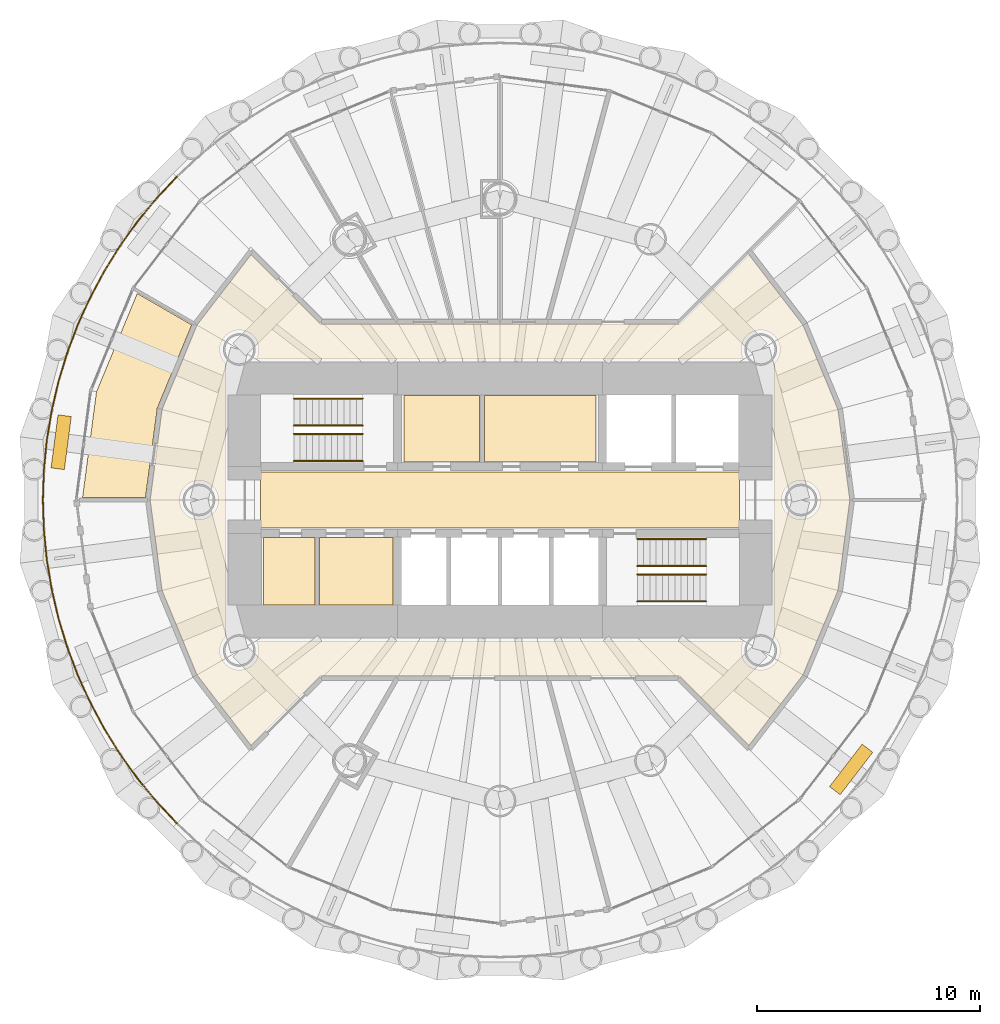
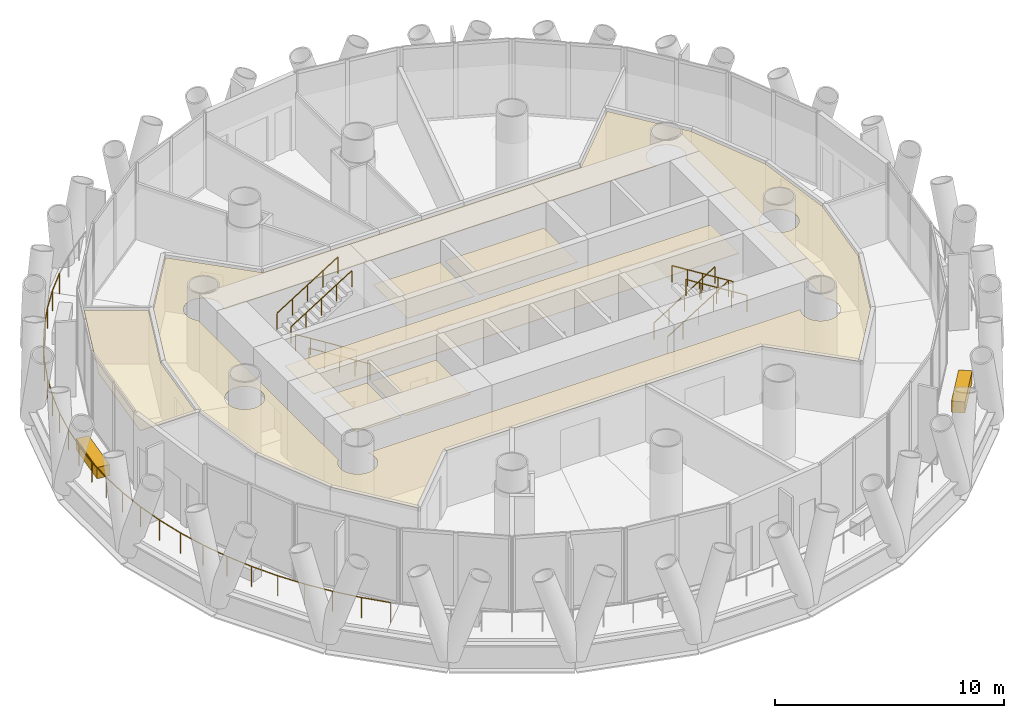
# One storey, part 14 of 16: 9 coverings, 9 railings.
"""IFC4 building model written with IfcOpenShell, lengths in metres."""

from ifc_helpers import new_model, si_unit, direction, frame, origin, origin_2d, place, context, subcontext, project, spatial, polyline, rectangle, circle, outline, extrude, material, layer, layer_set, type_object, element, save


model = new_model("IFC4")

# Units and contexts
model_context = context("Model", 3, precision=1e-05, world=origin(), true_north=direction((0.0, 1.0)))
body_context = subcontext(model_context, "Body", "Model", "MODEL_VIEW")
ifc_project = project(units=[si_unit("LENGTHUNIT", "METRE"), si_unit("AREAUNIT", "SQUARE_METRE"), si_unit("VOLUMEUNIT", "CUBIC_METRE"), si_unit("PLANEANGLEUNIT", "RADIAN"), si_unit("MASSUNIT", "GRAM", prefix="KILO")], contexts=[model_context])

# Site, building, storey
site_placement = place(None, origin())
site = spatial("IfcSite", under=ifc_project, at=site_placement, CompositionType="ELEMENT")
building_placement = place(site_placement, origin())
building = spatial("IfcBuilding", under=site, at=building_placement, Name="Qaws Media Tower", CompositionType="ELEMENT")
storey_placement = place(building_placement, frame((0.0, 0.0, 269.60009765625)))
storey = spatial("IfcBuildingStorey", under=building, at=storey_placement, Name="L62", CompositionType="ELEMENT", Elevation=269.60009765625)

# Covering
ifc_material_1 = material(Name="40 perforated acoustic panels with mineral wool backing, suspended", Category="mineral fibre")
ifc_layer_1 = layer(ifc_material_1, 0.0400390625)
ifc_layer_set_1 = layer_set([ifc_layer_1], Name="Acoustic panel ceiling 40")
covering_type_1 = type_object("IfcCoveringType", Name="Acoustic panel ceiling 40", PredefinedType="CEILING", material=ifc_layer_set_1)
covering_1_placement = place(storey_placement, frame((0.0, 0.0, 2.849853515625)))
element("IfcCovering", 1, at=covering_1_placement, inside=storey, type_object=covering_type_1, Name="CL3 ceiling L62-08 Board meeting room", PredefinedType="CEILING", context=body_context, shape_type="SweptSolid", body=[
    extrude(outline(polyline([(41.9033203125, 54.84912109375), (43.7314453125, 59.2626953125), (46.175048828125, 57.851806640625), (44.62890625, 54.11865234375), (44.101318359375, 50.112548828125), (41.279541015625, 50.112548828125), (41.9033203125, 54.84912109375)])), origin(), (0.0, 0.0, 1.0), 0.0400390625),
])

# Railing
ifc_material_2 = material(Name="Stainless steel and glass guard", Category="steel")
railing_type_1 = type_object("IfcRailingType", Name="Balcony guard 1100", PredefinedType="GUARDRAIL", material=ifc_material_2)
railing_placement = place(storey_placement, frame((45.50439453125, 64.49560546875, 0.0)))
element("IfcRailing", 2, at=railing_placement, inside=storey, type_object=railing_type_1, Name="GR1 balcony guard L62-2", PredefinedType="GUARDRAIL", context=body_context, shape_type="SweptSolid", body=[
    extrude(circle(Radius=0.02392578125, at=origin_2d()), frame((0.0, 0.0, 1.076171875), z_axis=(-0.683614130703, -0.729843627295, 0.0), x_axis=(0.729843627295, -0.683614130703, 0.0)), (0.0, 0.0, 1.0), 1.34130859375),
    extrude(circle(Radius=0.02392578125, at=origin_2d()), frame((-0.9169921875, -0.97900390625, 1.076171875), z_axis=(-0.634366805564, -0.773032183029, 0.0), x_axis=(0.773032183029, -0.634366805564, 0.0)), (0.0, 0.0, 1.0), 1.341552734375),
    extrude(circle(Radius=0.02392578125, at=origin_2d()), frame((-1.76806640625, -2.01611328125, 1.076171875), z_axis=(-0.582563027959, -0.812785530417, 0.0), x_axis=(0.812785530417, -0.582563027959, 0.0)), (0.0, 0.0, 1.0), 1.341552734375),
    extrude(circle(Radius=0.02392578125, at=origin_2d()), frame((-2.549560546875, -3.1064453125, 1.076171875), z_axis=(-0.528001532915, -0.849243416954, 0.0), x_axis=(0.849243416954, -0.528001532915, 0.0)), (0.0, 0.0, 1.0), 1.34130859375),
    extrude(circle(Radius=0.02392578125, at=origin_2d()), frame((-3.2578125, -4.24560546875, 1.076171875), z_axis=(-0.471504166812, -0.881863833412, 0.0), x_axis=(0.881863833412, -0.471504166812, 0.0)), (0.0, 0.0, 1.0), 1.341552734375),
    extrude(circle(Radius=0.02392578125, at=origin_2d()), frame((-3.890380859375, -5.4287109375, 1.076171875), z_axis=(-0.412595890326, -0.910914173392, 0.0), x_axis=(0.910914173392, -0.412595890326, 0.0)), (0.0, 0.0, 1.0), 1.34130859375),
    extrude(circle(Radius=0.02392578125, at=origin_2d()), frame((-4.44384765625, -6.650634765625, 1.076171875), z_axis=(-0.352359765348, -0.9358646247, 0.0), x_axis=(0.9358646247, -0.352359765348, 0.0)), (0.0, 0.0, 1.0), 1.34130859375),
    extrude(circle(Radius=0.02392578125, at=origin_2d()), frame((-4.91650390625, -7.906005859375, 1.076171875), z_axis=(-0.290285200169, -0.956940177108, 0.0), x_axis=(0.956940177108, -0.290285200169, 0.0)), (0.0, 0.0, 1.0), 1.341552734375),
    extrude(circle(Radius=0.02392578125, at=origin_2d()), frame((-5.305908203125, -9.189697265625, 1.076171875), z_axis=(-0.227091558149, -0.97387341283, 0.0), x_axis=(0.97387341283, -0.227091558149, 0.0)), (0.0, 0.0, 1.0), 1.341796875),
    extrude(circle(Radius=0.02392578125, at=origin_2d()), frame((-5.610595703125, -10.496337890625, 1.076171875), z_axis=(-0.162893573681, -0.986643645727, 0.0), x_axis=(0.986643645727, -0.162893573681, 0.0)), (0.0, 0.0, 1.0), 1.34130859375),
    extrude(circle(Radius=0.02392578125, at=origin_2d()), frame((-5.8291015625, -11.81982421875, 1.076171875), z_axis=(-0.097917820601, -0.995194503808, 0.0), x_axis=(0.995194503808, -0.097917820601, 0.0)), (0.0, 0.0, 1.0), 1.34130859375),
    extrude(circle(Radius=0.02392578125, at=origin_2d()), frame((-5.96044921875, -13.15478515625, 1.076171875), z_axis=(-0.03275735617, -0.999463333803, 0.0), x_axis=(0.999463333803, -0.03275735617, 0.0)), (0.0, 0.0, 1.0), 1.341552734375),
    extrude(circle(Radius=0.02392578125, at=origin_2d()), frame((-6.00439453125, -14.49560546875, 1.076171875), z_axis=(0.03275735617, -0.999463333803, 0.0), x_axis=(0.999463333803, 0.03275735617, 0.0)), (0.0, 0.0, 1.0), 1.341552734375),
    extrude(circle(Radius=0.02392578125, at=origin_2d()), frame((-5.96044921875, -15.83642578125, 1.076171875), z_axis=(0.097917820601, -0.995194503808, 0.0), x_axis=(0.995194503808, 0.097917820601, 0.0)), (0.0, 0.0, 1.0), 1.34130859375),
    extrude(circle(Radius=0.02392578125, at=origin_2d()), frame((-5.8291015625, -17.17138671875, 1.076171875), z_axis=(0.162893573681, -0.986643645727, 0.0), x_axis=(0.986643645727, 0.162893573681, 0.0)), (0.0, 0.0, 1.0), 1.34130859375),
    extrude(circle(Radius=0.02392578125, at=origin_2d()), frame((-5.610595703125, -18.494873046875, 1.076171875), z_axis=(0.227091558149, -0.97387341283, 0.0), x_axis=(0.97387341283, 0.227091558149, 0.0)), (0.0, 0.0, 1.0), 1.341796875),
    extrude(circle(Radius=0.02392578125, at=origin_2d()), frame((-5.305908203125, -19.801513671875, 1.076171875), z_axis=(0.290285200169, -0.956940177108, 0.0), x_axis=(0.956940177108, 0.290285200169, 0.0)), (0.0, 0.0, 1.0), 1.341552734375),
    extrude(circle(Radius=0.02392578125, at=origin_2d()), frame((-4.91650390625, -21.085205078125, 1.076171875), z_axis=(0.352359765348, -0.9358646247, 0.0), x_axis=(0.9358646247, 0.352359765348, 0.0)), (0.0, 0.0, 1.0), 1.34130859375),
    extrude(circle(Radius=0.02392578125, at=origin_2d()), frame((-4.44384765625, -22.340576171875, 1.076171875), z_axis=(0.412595890326, -0.910914173392, 0.0), x_axis=(0.910914173392, 0.412595890326, 0.0)), (0.0, 0.0, 1.0), 1.34130859375),
    extrude(circle(Radius=0.02392578125, at=origin_2d()), frame((-3.890380859375, -23.5625, 1.076171875), z_axis=(0.471504166812, -0.881863833412, 0.0), x_axis=(0.881863833412, 0.471504166812, 0.0)), (0.0, 0.0, 1.0), 1.341552734375),
    extrude(circle(Radius=0.02392578125, at=origin_2d()), frame((-3.2578125, -24.74560546875, 1.076171875), z_axis=(0.528001532915, -0.849243416954, 0.0), x_axis=(0.849243416954, 0.528001532915, 0.0)), (0.0, 0.0, 1.0), 1.34130859375),
    extrude(circle(Radius=0.02392578125, at=origin_2d()), frame((-2.549560546875, -25.884765625, 1.076171875), z_axis=(0.582563027959, -0.812785530417, 0.0), x_axis=(0.812785530417, 0.582563027959, 0.0)), (0.0, 0.0, 1.0), 1.341552734375),
    extrude(circle(Radius=0.02392578125, at=origin_2d()), frame((-1.76806640625, -26.97509765625, 1.076171875), z_axis=(0.634366805564, -0.773032183029, 0.0), x_axis=(0.773032183029, 0.634366805564, 0.0)), (0.0, 0.0, 1.0), 1.341552734375),
    extrude(circle(Radius=0.02392578125, at=origin_2d()), frame((-0.9169921875, -28.01220703125, 1.076171875), z_axis=(0.683614130703, -0.729843627295, 0.0), x_axis=(0.729843627295, 0.683614130703, 0.0)), (0.0, 0.0, 1.0), 1.34130859375),
    extrude(circle(Radius=0.02099609375, at=origin_2d()), origin(), (0.0, 0.0, 1.0), 1.052001953125),
    extrude(circle(Radius=0.02099609375, at=origin_2d()), frame((-0.9169921875, -0.97900390625, 0.0)), (0.0, 0.0, 1.0), 1.052001953125),
    extrude(circle(Radius=0.02099609375, at=origin_2d()), frame((-1.76806640625, -2.01611328125, 0.0)), (0.0, 0.0, 1.0), 1.052001953125),
    extrude(circle(Radius=0.02099609375, at=origin_2d()), frame((-2.549560546875, -3.1064453125, 0.0)), (0.0, 0.0, 1.0), 1.052001953125),
    extrude(circle(Radius=0.02099609375, at=origin_2d()), frame((-3.2578125, -4.24560546875, 0.0)), (0.0, 0.0, 1.0), 1.052001953125),
    extrude(circle(Radius=0.02099609375, at=origin_2d()), frame((-3.890380859375, -5.4287109375, 0.0)), (0.0, 0.0, 1.0), 1.052001953125),
    extrude(circle(Radius=0.02099609375, at=origin_2d()), frame((-4.44384765625, -6.650634765625, 0.0)), (0.0, 0.0, 1.0), 1.052001953125),
    extrude(circle(Radius=0.02099609375, at=origin_2d()), frame((-4.91650390625, -7.906005859375, 0.0)), (0.0, 0.0, 1.0), 1.052001953125),
    extrude(circle(Radius=0.02099609375, at=origin_2d()), frame((-5.305908203125, -9.189697265625, 0.0)), (0.0, 0.0, 1.0), 1.052001953125),
    extrude(circle(Radius=0.02099609375, at=origin_2d()), frame((-5.610595703125, -10.496337890625, 0.0)), (0.0, 0.0, 1.0), 1.052001953125),
    extrude(circle(Radius=0.02099609375, at=origin_2d()), frame((-5.8291015625, -11.81982421875, 0.0)), (0.0, 0.0, 1.0), 1.052001953125),
    extrude(circle(Radius=0.02099609375, at=origin_2d()), frame((-5.96044921875, -13.15478515625, 0.0)), (0.0, 0.0, 1.0), 1.052001953125),
    extrude(circle(Radius=0.02099609375, at=origin_2d()), frame((-6.00439453125, -14.49560546875, 0.0)), (0.0, 0.0, 1.0), 1.052001953125),
    extrude(circle(Radius=0.02099609375, at=origin_2d()), frame((-5.96044921875, -15.83642578125, 0.0)), (0.0, 0.0, 1.0), 1.052001953125),
    extrude(circle(Radius=0.02099609375, at=origin_2d()), frame((-5.8291015625, -17.17138671875, 0.0)), (0.0, 0.0, 1.0), 1.052001953125),
    extrude(circle(Radius=0.02099609375, at=origin_2d()), frame((-5.610595703125, -18.494873046875, 0.0)), (0.0, 0.0, 1.0), 1.052001953125),
    extrude(circle(Radius=0.02099609375, at=origin_2d()), frame((-5.305908203125, -19.801513671875, 0.0)), (0.0, 0.0, 1.0), 1.052001953125),
    extrude(circle(Radius=0.02099609375, at=origin_2d()), frame((-4.91650390625, -21.085205078125, 0.0)), (0.0, 0.0, 1.0), 1.052001953125),
    extrude(circle(Radius=0.02099609375, at=origin_2d()), frame((-4.44384765625, -22.340576171875, 0.0)), (0.0, 0.0, 1.0), 1.052001953125),
    extrude(circle(Radius=0.02099609375, at=origin_2d()), frame((-3.890380859375, -23.5625, 0.0)), (0.0, 0.0, 1.0), 1.052001953125),
    extrude(circle(Radius=0.02099609375, at=origin_2d()), frame((-3.2578125, -24.74560546875, 0.0)), (0.0, 0.0, 1.0), 1.052001953125),
    extrude(circle(Radius=0.02099609375, at=origin_2d()), frame((-2.549560546875, -25.884765625, 0.0)), (0.0, 0.0, 1.0), 1.052001953125),
    extrude(circle(Radius=0.02099609375, at=origin_2d()), frame((-1.76806640625, -26.97509765625, 0.0)), (0.0, 0.0, 1.0), 1.052001953125),
    extrude(circle(Radius=0.02099609375, at=origin_2d()), frame((-0.9169921875, -28.01220703125, 0.0)), (0.0, 0.0, 1.0), 1.052001953125),
    extrude(circle(Radius=0.02099609375, at=origin_2d()), frame((0.0, -28.9912109375, 0.0)), (0.0, 0.0, 1.0), 1.052001953125),
])

# Coverings
ifc_material_3 = material(Name="600 x 600 mineral fibre tiles in exposed grid, suspended", Category="mineral fibre")
ifc_layer_2 = layer(ifc_material_3, 0.02001953125)
ifc_layer_set_2 = layer_set([ifc_layer_2], Name="Mineral fibre tile ceiling 20")
covering_type_2 = type_object("IfcCoveringType", Name="Mineral fibre tile ceiling 20", PredefinedType="CEILING", material=ifc_layer_set_2)
covering_2_placement = place(storey_placement, frame((0.0, 0.0, 2.849853515625)))
element("IfcCovering", 3, at=covering_2_placement, inside=storey, type_object=covering_type_2, Name="CL1 ceiling L62-C07 Ladies toilets", PredefinedType="CEILING", context=body_context, shape_type="SweptSolid", body=[
    extrude(outline(polyline([(55.695068359375, 51.695068359375), (55.695068359375, 54.679931640625), (59.075439453125, 54.679931640625), (59.075439453125, 51.695068359375), (55.695068359375, 51.695068359375)])), origin(), (0.0, 0.0, 1.0), 0.02001953125),
])
covering_3_placement = place(storey_placement, frame((0.0, 0.0, 2.849853515625)))
element("IfcCovering", 4, at=covering_3_placement, inside=storey, type_object=covering_type_2, Name="CL1 ceiling L62-C08 Gents toilets", PredefinedType="CEILING", context=body_context, shape_type="SweptSolid", body=[
    extrude(outline(polyline([(59.3154296875, 51.695068359375), (59.3154296875, 54.679931640625), (64.304931640625, 54.679931640625), (64.304931640625, 51.695068359375), (59.3154296875, 51.695068359375)])), origin(), (0.0, 0.0, 1.0), 0.02001953125),
])
covering_4_placement = place(storey_placement, frame((0.0, 0.0, 2.849853515625)))
element("IfcCovering", 5, at=covering_4_placement, inside=storey, type_object=covering_type_2, Name="CL1 ceiling L62-01 Corridor", PredefinedType="CEILING", context=body_context, shape_type="SweptSolid", body=[
    extrude(outline(polyline([(44.847900390625, 45.93994140625), (44.3134765625, 50.0), (44.847900390625, 54.06005859375), (46.4150390625, 57.84326171875), (48.8388671875, 61.001953125), (51.953369140625, 57.887451171875), (68.046630859375, 57.887451171875), (71.1611328125, 61.001953125), (73.5849609375, 57.84326171875), (75.152099609375, 54.06005859375), (75.6865234375, 50.0), (75.152099609375, 45.93994140625), (73.5849609375, 42.15673828125), (71.1611328125, 38.998046875), (68.046630859375, 42.112548828125), (51.953369140625, 42.112548828125), (48.8388671875, 38.998046875), (46.4150390625, 42.15673828125), (44.847900390625, 45.93994140625)]), holes=[polyline([(49.0615234375, 56.3125), (49.11328125, 56.416748046875), (49.14990234375, 56.524658203125), (49.172119140625, 56.63623046875), (49.1796875, 56.75), (49.172119140625, 56.86376953125), (49.14990234375, 56.975341796875), (49.11328125, 57.083251953125), (49.06298828125, 57.185546875), (48.999755859375, 57.2802734375), (48.924560546875, 57.365966796875), (48.8388671875, 57.44091796875), (48.744140625, 57.50439453125), (48.64208984375, 57.5546875), (48.5341796875, 57.59130859375), (48.42236328125, 57.613525390625), (48.30859375, 57.62109375), (48.195068359375, 57.613525390625), (48.083251953125, 57.59130859375), (47.975341796875, 57.5546875), (47.873291015625, 57.50439453125), (47.7783203125, 57.44091796875), (47.69287109375, 57.365966796875), (47.61767578125, 57.2802734375), (47.55419921875, 57.185546875), (47.50390625, 57.083251953125), (47.46728515625, 56.975341796875), (47.445068359375, 56.86376953125), (47.437744140625, 56.75), (47.445068359375, 56.63623046875), (47.46728515625, 56.524658203125), (47.50390625, 56.416748046875), (47.55419921875, 56.314453125), (47.61767578125, 56.2197265625), (47.6875, 56.14013671875), (47.6875, 43.85986328125), (47.61767578125, 43.7802734375), (47.55419921875, 43.685546875), (47.50390625, 43.583251953125), (47.46728515625, 43.475341796875), (47.445068359375, 43.36376953125), (47.437744140625, 43.25), (47.445068359375, 43.13623046875), (47.46728515625, 43.024658203125), (47.50390625, 42.916748046875), (47.55419921875, 42.814453125), (47.61767578125, 42.7197265625), (47.69287109375, 42.634033203125), (47.7783203125, 42.55908203125), (47.873291015625, 42.49560546875), (47.975341796875, 42.4453125), (48.083251953125, 42.40869140625), (48.195068359375, 42.386474609375), (48.30859375, 42.37890625), (48.42236328125, 42.386474609375), (48.5341796875, 42.40869140625), (48.64208984375, 42.4453125), (48.744140625, 42.49560546875), (48.8388671875, 42.55908203125), (48.924560546875, 42.634033203125), (48.999755859375, 42.7197265625), (49.06298828125, 42.814453125), (49.11328125, 42.916748046875), (49.14990234375, 43.024658203125), (49.172119140625, 43.13623046875), (49.1796875, 43.25), (49.172119140625, 43.36376953125), (49.14990234375, 43.475341796875), (49.11328125, 43.583251953125), (49.0615234375, 43.6875), (70.9384765625, 43.6875), (70.88671875, 43.583251953125), (70.85009765625, 43.475341796875), (70.827880859375, 43.36376953125), (70.8203125, 43.25), (70.827880859375, 43.13623046875), (70.85009765625, 43.024658203125), (70.88671875, 42.916748046875), (70.93701171875, 42.814453125), (71.000244140625, 42.7197265625), (71.075439453125, 42.634033203125), (71.1611328125, 42.55908203125), (71.255859375, 42.49560546875), (71.35791015625, 42.4453125), (71.4658203125, 42.40869140625), (71.57763671875, 42.386474609375), (71.69140625, 42.37890625), (71.804931640625, 42.386474609375), (71.916748046875, 42.40869140625), (72.024658203125, 42.4453125), (72.126708984375, 42.49560546875), (72.2216796875, 42.55908203125), (72.30712890625, 42.634033203125), (72.38232421875, 42.7197265625), (72.44580078125, 42.814453125), (72.49609375, 42.916748046875), (72.53271484375, 43.024658203125), (72.554931640625, 43.13623046875), (72.562255859375, 43.25), (72.554931640625, 43.36376953125), (72.53271484375, 43.475341796875), (72.49609375, 43.583251953125), (72.44580078125, 43.685546875), (72.38232421875, 43.7802734375), (72.3125, 43.85986328125), (72.3125, 56.14013671875), (72.38232421875, 56.2197265625), (72.44580078125, 56.314453125), (72.49609375, 56.416748046875), (72.53271484375, 56.524658203125), (72.554931640625, 56.63623046875), (72.562255859375, 56.75), (72.554931640625, 56.86376953125), (72.53271484375, 56.975341796875), (72.49609375, 57.083251953125), (72.44580078125, 57.185546875), (72.38232421875, 57.2802734375), (72.30712890625, 57.365966796875), (72.2216796875, 57.44091796875), (72.126708984375, 57.50439453125), (72.024658203125, 57.5546875), (71.916748046875, 57.59130859375), (71.804931640625, 57.613525390625), (71.69140625, 57.62109375), (71.57763671875, 57.613525390625), (71.4658203125, 57.59130859375), (71.35791015625, 57.5546875), (71.255859375, 57.50439453125), (71.1611328125, 57.44091796875), (71.075439453125, 57.365966796875), (71.000244140625, 57.2802734375), (70.93701171875, 57.185546875), (70.88671875, 57.083251953125), (70.85009765625, 56.975341796875), (70.827880859375, 56.86376953125), (70.8203125, 56.75), (70.827880859375, 56.63623046875), (70.85009765625, 56.524658203125), (70.88671875, 56.416748046875), (70.9384765625, 56.3125), (49.0615234375, 56.3125)]), polyline([(47.3046875, 49.666748046875), (47.34130859375, 49.774658203125), (47.363525390625, 49.88623046875), (47.37109375, 50.0), (47.363525390625, 50.11376953125), (47.34130859375, 50.225341796875), (47.3046875, 50.333251953125), (47.25439453125, 50.435546875), (47.19091796875, 50.5302734375), (47.115966796875, 50.615966796875), (47.0302734375, 50.69091796875), (46.935546875, 50.75439453125), (46.833251953125, 50.8046875), (46.725341796875, 50.84130859375), (46.61376953125, 50.863525390625), (46.5, 50.87109375), (46.38623046875, 50.863525390625), (46.274658203125, 50.84130859375), (46.166748046875, 50.8046875), (46.064453125, 50.75439453125), (45.9697265625, 50.69091796875), (45.884033203125, 50.615966796875), (45.80908203125, 50.5302734375), (45.74560546875, 50.435546875), (45.6953125, 50.333251953125), (45.65869140625, 50.225341796875), (45.636474609375, 50.11376953125), (45.62890625, 50.0), (45.636474609375, 49.88623046875), (45.65869140625, 49.774658203125), (45.6953125, 49.666748046875), (45.74560546875, 49.564453125), (45.80908203125, 49.4697265625), (45.884033203125, 49.384033203125), (45.9697265625, 49.30908203125), (46.064453125, 49.24560546875), (46.166748046875, 49.1953125), (46.274658203125, 49.15869140625), (46.38623046875, 49.136474609375), (46.5, 49.12890625), (46.61376953125, 49.136474609375), (46.725341796875, 49.15869140625), (46.833251953125, 49.1953125), (46.935546875, 49.24560546875), (47.0302734375, 49.30908203125), (47.115966796875, 49.384033203125), (47.19091796875, 49.4697265625), (47.25439453125, 49.564453125), (47.3046875, 49.666748046875)]), polyline([(74.34130859375, 49.774658203125), (74.363525390625, 49.88623046875), (74.37109375, 50.0), (74.363525390625, 50.11376953125), (74.34130859375, 50.225341796875), (74.3046875, 50.333251953125), (74.25439453125, 50.435546875), (74.19091796875, 50.5302734375), (74.115966796875, 50.615966796875), (74.0302734375, 50.69091796875), (73.935546875, 50.75439453125), (73.833251953125, 50.8046875), (73.725341796875, 50.84130859375), (73.61376953125, 50.863525390625), (73.5, 50.87109375), (73.38623046875, 50.863525390625), (73.274658203125, 50.84130859375), (73.166748046875, 50.8046875), (73.064453125, 50.75439453125), (72.9697265625, 50.69091796875), (72.884033203125, 50.615966796875), (72.80908203125, 50.5302734375), (72.74560546875, 50.435546875), (72.6953125, 50.333251953125), (72.65869140625, 50.225341796875), (72.636474609375, 50.11376953125), (72.62890625, 50.0), (72.636474609375, 49.88623046875), (72.65869140625, 49.774658203125), (72.6953125, 49.666748046875), (72.74560546875, 49.564453125), (72.80908203125, 49.4697265625), (72.884033203125, 49.384033203125), (72.9697265625, 49.30908203125), (73.064453125, 49.24560546875), (73.166748046875, 49.1953125), (73.274658203125, 49.15869140625), (73.38623046875, 49.136474609375), (73.5, 49.12890625), (73.61376953125, 49.136474609375), (73.725341796875, 49.15869140625), (73.833251953125, 49.1953125), (73.935546875, 49.24560546875), (74.0302734375, 49.30908203125), (74.115966796875, 49.384033203125), (74.19091796875, 49.4697265625), (74.25439453125, 49.564453125), (74.3046875, 49.666748046875), (74.34130859375, 49.774658203125)])]), origin(), (0.0, 0.0, 1.0), 0.02001953125),
])
covering_5_placement = place(storey_placement, frame((0.0, 0.0, 2.849853515625)))
element("IfcCovering", 6, at=covering_5_placement, inside=storey, type_object=covering_type_2, Name="CL1 ceiling L62-C05 First aid room", PredefinedType="CEILING", context=body_context, shape_type="SweptSolid", body=[
    extrude(outline(polyline([(51.89990234375, 45.300048828125), (51.89990234375, 48.324951171875), (55.199951171875, 48.324951171875), (55.199951171875, 45.300048828125), (51.89990234375, 45.300048828125)])), origin(), (0.0, 0.0, 1.0), 0.02001953125),
])
ifc_material_4 = material(Name="Precast concrete planter with trailing planting", Category="concrete")
ifc_layer_3 = layer(ifc_material_4, 0.60009765625)
ifc_layer_set_3 = layer_set([ifc_layer_3], Name="Planter 2400x600")
covering_type_3 = type_object("IfcCoveringType", Name="Planter 2400x600", PredefinedType="USERDEFINED", material=ifc_layer_set_3)
for number, where, z_axis, x_axis, name in (
    (7, (40.31982421875, 52.591064453125, -0.000244140625), (0.0, 0.0, 1.0), (-0.13052619222, -0.991444861374, 0.0), "PL1 balcony planter L62-06"),
    (8, (75.748046875, 37.916015625, -0.000244140625), (0.0, 0.0, 1.0), (0.608761429009, 0.793353340291, 0.0), "PL1 balcony planter L62-11"),
):
    element("IfcCovering", number, at=place(storey_placement, frame(where, z_axis=z_axis, x_axis=x_axis)), inside=storey, type_object=covering_type_3, Name=name, ObjectType="PLANTER", PredefinedType="USERDEFINED", context=body_context, shape_type="SweptSolid", body=[
        extrude(rectangle(XDim=2.39990234375, YDim=0.60009765625, at=origin_2d()), origin(), (0.0, 0.0, 1.0), 0.60009765625),
    ])
ifc_material_5 = material(Name="Two layers 12.5 moisture-resistant plasterboard on suspended metal furring", Category="gypsum")
ifc_layer_4 = layer(ifc_material_5, 0.02490234375)
ifc_layer_set_4 = layer_set([ifc_layer_4], Name="Plasterboard ceiling 25")
covering_type_4 = type_object("IfcCoveringType", Name="Plasterboard ceiling 25", PredefinedType="CEILING", material=ifc_layer_set_4)
covering_6_placement = place(storey_placement, frame((0.0, 0.0, 2.849853515625)))
element("IfcCovering", 9, at=covering_6_placement, inside=storey, type_object=covering_type_4, Name="CL2 ceiling L62-C01 Lift lobby", PredefinedType="CEILING", context=body_context, shape_type="SweptSolid", body=[
    extrude(outline(polyline([(49.25, 48.75), (49.25, 51.25), (70.75, 51.25), (70.75, 48.75), (49.25, 48.75)])), origin(), (0.0, 0.0, 1.0), 0.025146484375),
])
covering_7_placement = place(storey_placement, frame((0.0, 0.0, 2.849853515625)))
element("IfcCovering", 10, at=covering_7_placement, inside=storey, type_object=covering_type_4, Name="CL2 ceiling L62-C04 Accessible WC", PredefinedType="CEILING", context=body_context, shape_type="SweptSolid", body=[
    extrude(outline(polyline([(49.39990234375, 45.300048828125), (49.39990234375, 48.324951171875), (51.699951171875, 48.324951171875), (51.699951171875, 45.300048828125), (49.39990234375, 45.300048828125)])), origin(), (0.0, 0.0, 1.0), 0.025146484375),
])

# Railings
ifc_material_6 = material(Name="Steel tube handrail", Category="steel")
railing_type_2 = type_object("IfcRailingType", Name="Stair handrail 900", PredefinedType="HANDRAIL", material=ifc_material_6)
for number, where, name in (
    (11, (53.840087890625, 51.75, 0.1748046875), "HR1 handrail S1 flight 1 L62"),
    (12, (53.840087890625, 52.9599609375, 0.1748046875), "HR1 handrail S1 flight 1 L62"),
):
    element("IfcRailing", number, at=place(storey_placement, frame(where)), inside=storey, type_object=railing_type_2, Name=name, PredefinedType="HANDRAIL", context=body_context, shape_type="SweptSolid", body=[
        extrude(circle(Radius=0.02392578125, at=origin_2d()), frame((0.0, 0.0, 0.8759765625), z_axis=(-0.847998304005, 0.0, 0.529998940003), x_axis=(0.0, -1.0, 0.0)), (0.0, 0.0, 1.0), 3.632080078125),
        extrude(circle(Radius=0.02099609375, at=origin_2d()), origin(), (0.0, 0.0, 1.0), 0.851806640625),
        extrude(circle(Radius=0.02099609375, at=origin_2d()), frame((-0.77001953125, 0.0, 0.481201171875)), (0.0, 0.0, 1.0), 0.851806640625),
        extrude(circle(Radius=0.02099609375, at=origin_2d()), frame((-1.5400390625, 0.0, 0.96240234375)), (0.0, 0.0, 1.0), 0.851806640625),
        extrude(circle(Radius=0.02099609375, at=origin_2d()), frame((-2.31005859375, 0.0, 1.44384765625)), (0.0, 0.0, 1.0), 0.851806640625),
        extrude(circle(Radius=0.02099609375, at=origin_2d()), frame((-3.080078125, 0.0, 1.925048828125)), (0.0, 0.0, 1.0), 0.851806640625),
    ])
for number, where, name in (
    (13, (50.760009765625, 54.550048828125, 2.27490234375), "HR1 handrail S1 flight 2 L62"),
    (14, (50.760009765625, 53.340087890625, 2.27490234375), "HR1 handrail S1 flight 2 L62"),
    (15, (66.159912109375, 48.25, 0.1748046875), "HR1 handrail S2 flight 1 L62"),
    (16, (66.159912109375, 47.0400390625, 0.1748046875), "HR1 handrail S2 flight 1 L62"),
):
    element("IfcRailing", number, at=place(storey_placement, frame(where)), inside=storey, type_object=railing_type_2, Name=name, PredefinedType="HANDRAIL", context=body_context, shape_type="SweptSolid", body=[
        extrude(circle(Radius=0.02392578125, at=origin_2d()), frame((0.0, 0.0, 0.8759765625), z_axis=(0.847998304005, 0.0, 0.529998940003), x_axis=(0.0, 1.0, 0.0)), (0.0, 0.0, 1.0), 3.632080078125),
        extrude(circle(Radius=0.02099609375, at=origin_2d()), origin(), (0.0, 0.0, 1.0), 0.851806640625),
        extrude(circle(Radius=0.02099609375, at=origin_2d()), frame((0.77001953125, 0.0, 0.481201171875)), (0.0, 0.0, 1.0), 0.851806640625),
        extrude(circle(Radius=0.02099609375, at=origin_2d()), frame((1.5400390625, 0.0, 0.96240234375)), (0.0, 0.0, 1.0), 0.851806640625),
        extrude(circle(Radius=0.02099609375, at=origin_2d()), frame((2.31005859375, 0.0, 1.44384765625)), (0.0, 0.0, 1.0), 0.851806640625),
        extrude(circle(Radius=0.02099609375, at=origin_2d()), frame((3.080078125, 0.0, 1.925048828125)), (0.0, 0.0, 1.0), 0.851806640625),
    ])
for number, where, name in (
    (17, (69.239990234375, 45.449951171875, 2.27490234375), "HR1 handrail S2 flight 2 L62"),
    (18, (69.239990234375, 46.659912109375, 2.27490234375), "HR1 handrail S2 flight 2 L62"),
):
    element("IfcRailing", number, at=place(storey_placement, frame(where)), inside=storey, type_object=railing_type_2, Name=name, PredefinedType="HANDRAIL", context=body_context, shape_type="SweptSolid", body=[
        extrude(circle(Radius=0.02392578125, at=origin_2d()), frame((0.0, 0.0, 0.8759765625), z_axis=(-0.847998304005, 0.0, 0.529998940003), x_axis=(0.0, -1.0, 0.0)), (0.0, 0.0, 1.0), 3.632080078125),
        extrude(circle(Radius=0.02099609375, at=origin_2d()), origin(), (0.0, 0.0, 1.0), 0.851806640625),
        extrude(circle(Radius=0.02099609375, at=origin_2d()), frame((-0.77001953125, 0.0, 0.481201171875)), (0.0, 0.0, 1.0), 0.851806640625),
        extrude(circle(Radius=0.02099609375, at=origin_2d()), frame((-1.5400390625, 0.0, 0.96240234375)), (0.0, 0.0, 1.0), 0.851806640625),
        extrude(circle(Radius=0.02099609375, at=origin_2d()), frame((-2.31005859375, 0.0, 1.44384765625)), (0.0, 0.0, 1.0), 0.851806640625),
        extrude(circle(Radius=0.02099609375, at=origin_2d()), frame((-3.080078125, 0.0, 1.925048828125)), (0.0, 0.0, 1.0), 0.851806640625),
    ])

save(model, "model.ifc")
